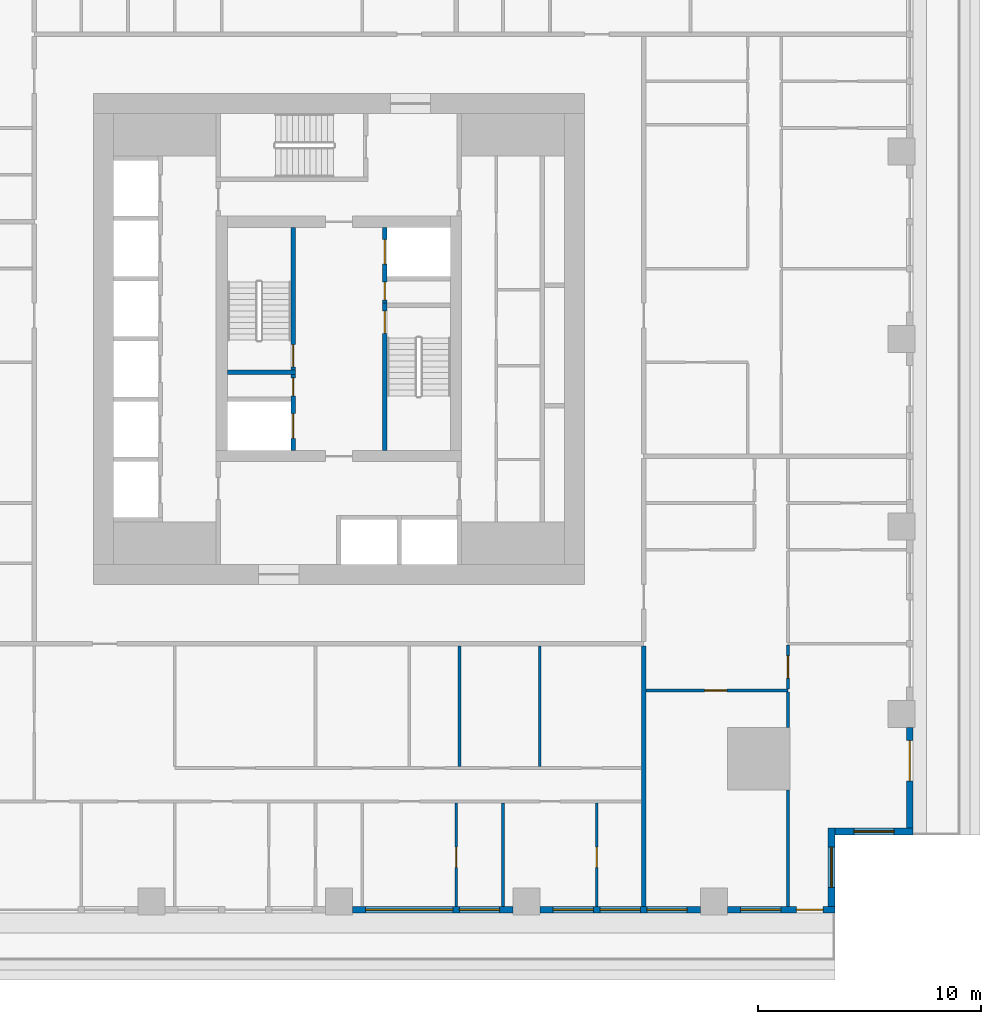
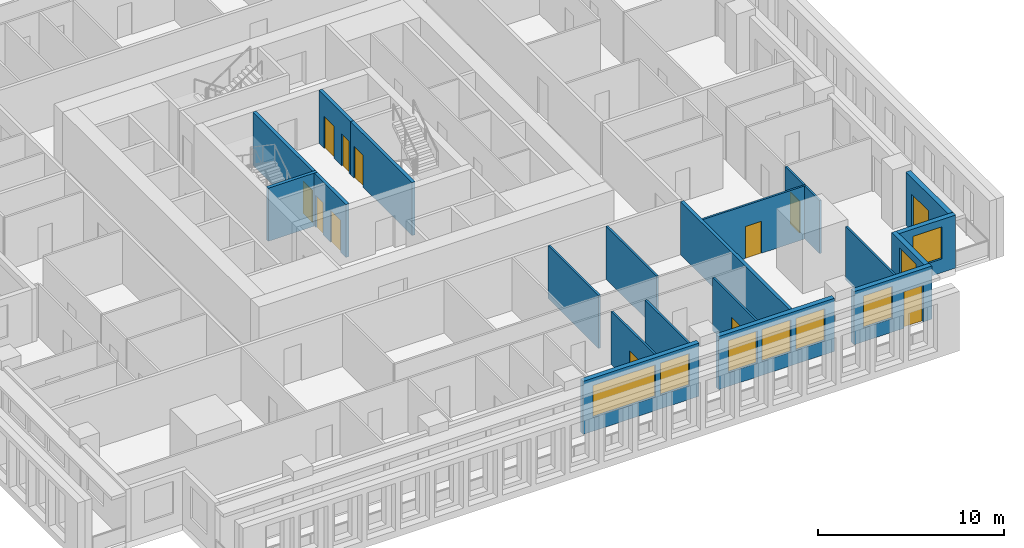
# One storey, part 4 of 15: 21 walls, 12 doors, 8 windows, 20 openings.
"""IFC4 building model written with IfcOpenShell, lengths in metres."""

from ifc_helpers import new_model, si_unit, direction, frame, frame_2d, origin, place, context, subcontext, project, spatial, rectangle, extrude, material, layer, layer_set, type_object, element, fill, save


model = new_model("IFC4")

# Units and contexts
model_context = context("Model", 3, precision=1e-05, world=origin(), true_north=direction((0.0, 1.0)))
body_context = subcontext(model_context, "Body", "Model", "MODEL_VIEW")
ifc_project = project(units=[si_unit("LENGTHUNIT", "METRE"), si_unit("AREAUNIT", "SQUARE_METRE"), si_unit("VOLUMEUNIT", "CUBIC_METRE"), si_unit("PLANEANGLEUNIT", "RADIAN"), si_unit("MASSUNIT", "GRAM", prefix="KILO")], contexts=[model_context])

# Site, building, storey
site_placement = place(None, origin())
site = spatial("IfcSite", under=ifc_project, at=site_placement, CompositionType="ELEMENT")
building_placement = place(site_placement, origin())
building = spatial("IfcBuilding", under=site, at=building_placement, Name="Khepri Terraces", CompositionType="ELEMENT")
storey_placement = place(building_placement, frame((0.0, 0.0, 83.10009765625)))
storey = spatial("IfcBuildingStorey", under=building, at=storey_placement, Name="L19", CompositionType="ELEMENT", Elevation=83.10009765625)

# Wall, opening, door
ifc_material_1 = material(Name="Concrete C70/85", Category="concrete")
ifc_layer_1 = layer(ifc_material_1, 0.199951171875, Name="Concrete C70/85", Category="concrete")
ifc_layer_set_1 = layer_set([ifc_layer_1], Name="Concrete C70/85")
wall_type_1 = type_object("IfcWallType", Name="Core wall 200 C70/85", PredefinedType="SHEAR", material=ifc_layer_set_1)
wall_1_placement = place(storey_placement, frame((2.050048828125, -5.0, 0.0), z_axis=(0.0, 0.0, 1.0), x_axis=(0.0, 1.0, 0.0)))
wall_1 = element("IfcWall", 1, at=wall_1_placement, inside=storey, type_object=wall_type_1, Name="Core wall ST01 L19", PredefinedType="SHEAR", context=body_context, shape_type="SweptSolid", body=[
    extrude(rectangle(XDim=6.60009765625, YDim=0.199951171875, at=frame_2d((3.300048828125, 0.0))), origin(), (0.0, 0.0, 1.0), 3.47998046875),
])
opening_1_placement = place(wall_1_placement, frame((5.25, 0.0, 0.0)))
opening_1 = element("IfcOpeningElement", 2, at=opening_1_placement, cuts=wall_1, Name="Opening L19-C10", PredefinedType="OPENING", context=body_context, shape_type="SweptSolid", body=[
    extrude(rectangle(XDim=1.0, YDim=2.10009765625, at=frame_2d((0.5, 1.050048828125))), frame((0.0, 0.10986328125, 0.0), z_axis=(0.0, -1.0, 0.0), x_axis=(1.0, 0.0, 0.0)), (0.0, 0.0, 1.0), 0.219970703125),
])
ifc_material_2 = material(Name="Painted steel", Category="steel")
door_type_1 = type_object("IfcDoorType", Name="DR-CORE-STAIR-1000", OperationType="NOTDEFINED", PredefinedType="DOOR", material=ifc_material_2)
door_1_placement = place(opening_1_placement, frame((1.0, 0.0, 0.0), z_axis=(0.0, 0.0, 1.0), x_axis=(-1.0, 0.0, 0.0)))
door_1 = element("IfcDoor", 3, at=door_1_placement, inside=storey, type_object=door_type_1, Name="Stair door L19-C10", OperationType="SINGLE_SWING_LEFT", OverallHeight=2.10009765625, OverallWidth=1.0, PredefinedType="DOOR", context=body_context, shape_type="SweptSolid", body=[
    extrude(rectangle(XDim=1.0, YDim=2.10009765625, at=frame_2d((0.5, 1.050048828125))), frame((0.0, 0.02490234375, 0.0), z_axis=(0.0, -1.0, 0.0), x_axis=(1.0, 0.0, 0.0)), (0.0, 0.0, 1.0), 0.050048828125),
])
fill(opening_1, door_1)

# Wall
wall_2_placement = place(storey_placement, frame((-5.0, -1.5, 0.0), z_axis=(0.0, 0.0, 1.0), x_axis=(1.0, 0.0, 0.0)))
element("IfcWall", 4, at=wall_2_placement, inside=storey, type_object=wall_type_1, Name="Core wall ST02 L19", PredefinedType="SHEAR", context=body_context, shape_type="SweptSolid", body=[
    extrude(rectangle(XDim=3.050048828125, YDim=0.199951171875, at=frame_2d((1.52490234375, 0.0))), origin(), (0.0, 0.0, 1.0), 3.47998046875),
])

# Wall, opening, door
wall_3_placement = place(storey_placement, frame((-2.050048828125, -1.39990234375, 0.0), z_axis=(0.0, 0.0, 1.0), x_axis=(0.0, 1.0, 0.0)))
wall_3 = element("IfcWall", 5, at=wall_3_placement, inside=storey, type_object=wall_type_1, Name="Core wall ST03 L19", PredefinedType="SHEAR", context=body_context, shape_type="SweptSolid", body=[
    extrude(rectangle(XDim=6.39990234375, YDim=0.199951171875, at=frame_2d((3.199951171875, 0.0))), origin(), (0.0, 0.0, 1.0), 3.47998046875),
])
opening_2_placement = place(wall_3_placement, frame((0.14990234375, 0.0, 0.0)))
opening_2 = element("IfcOpeningElement", 6, at=opening_2_placement, cuts=wall_3, Name="Opening L19-C09", PredefinedType="OPENING", context=body_context, shape_type="SweptSolid", body=[
    extrude(rectangle(XDim=1.0, YDim=2.10009765625, at=frame_2d((0.5, 1.050048828125))), frame((0.0, 0.10986328125, 0.0), z_axis=(0.0, -1.0, 0.0), x_axis=(1.0, 0.0, 0.0)), (0.0, 0.0, 1.0), 0.219970703125),
])
door_2_placement = place(opening_2_placement, origin())
door_2 = element("IfcDoor", 7, at=door_2_placement, inside=storey, type_object=door_type_1, Name="Stair door L19-C09", OperationType="SINGLE_SWING_LEFT", OverallHeight=2.10009765625, OverallWidth=1.0, PredefinedType="DOOR", context=body_context, shape_type="SweptSolid", body=[
    extrude(rectangle(XDim=1.0, YDim=2.10009765625, at=frame_2d((0.5, 1.050048828125))), frame((0.0, 0.02490234375, 0.0), z_axis=(0.0, -1.0, 0.0), x_axis=(1.0, 0.0, 0.0)), (0.0, 0.0, 1.0), 0.050048828125),
])
fill(opening_2, door_2)

# Wall, openings, doors
wall_4_placement = place(storey_placement, frame((-2.050048828125, -5.0, 0.0), z_axis=(0.0, 0.0, 1.0), x_axis=(0.0, 1.0, 0.0)))
wall_4 = element("IfcWall", 8, at=wall_4_placement, inside=storey, type_object=wall_type_1, Name="Core wall SH10 L19", PredefinedType="SHEAR", context=body_context, shape_type="SweptSolid", body=[
    extrude(rectangle(XDim=3.39990234375, YDim=0.199951171875, at=frame_2d((1.699951171875, 0.0))), origin(), (0.0, 0.0, 1.0), 3.47998046875),
])
opening_3_placement = place(wall_4_placement, frame((0.550048828125, 0.0, 0.0)))
opening_3 = element("IfcOpeningElement", 9, at=opening_3_placement, cuts=wall_4, Name="Opening L19-C08", PredefinedType="OPENING", context=body_context, shape_type="SweptSolid", body=[
    extrude(rectangle(XDim=1.10009765625, YDim=2.10009765625, at=frame_2d((0.550048828125, 1.050048828125))), frame((0.0, 0.10986328125, 0.0), z_axis=(0.0, -1.0, 0.0), x_axis=(1.0, 0.0, 0.0)), (0.0, 0.0, 1.0), 0.219970703125),
])
opening_4_placement = place(wall_4_placement, frame((2.449951171875, 0.0, 0.0)))
opening_4 = element("IfcOpeningElement", 10, at=opening_4_placement, cuts=wall_4, Name="Opening L19-C12", PredefinedType="OPENING", context=body_context, shape_type="SweptSolid", body=[
    extrude(rectangle(XDim=0.800048828125, YDim=2.10009765625, at=frame_2d((0.39990234375, 1.050048828125))), frame((0.0, 0.10986328125, 0.0), z_axis=(0.0, -1.0, 0.0), x_axis=(1.0, 0.0, 0.0)), (0.0, 0.0, 1.0), 0.219970703125),
])
ifc_material_3 = material(Name="Stainless steel 304", Category="steel")
door_type_2 = type_object("IfcDoorType", Name="DR-CORE-FF-LANDING-1100", OperationType="NOTDEFINED", PredefinedType="DOOR", material=ifc_material_3)
door_3_placement = place(opening_3_placement, origin())
door_3 = element("IfcDoor", 11, at=door_3_placement, inside=storey, type_object=door_type_2, Name="Firefighting lift landing door L19-C08", OperationType="SLIDING_TO_LEFT", OverallHeight=2.10009765625, OverallWidth=1.10009765625, PredefinedType="DOOR", context=body_context, shape_type="SweptSolid", body=[
    extrude(rectangle(XDim=1.10009765625, YDim=2.10009765625, at=frame_2d((0.550048828125, 1.050048828125))), frame((0.0, 0.02490234375, 0.0), z_axis=(0.0, -1.0, 0.0), x_axis=(1.0, 0.0, 0.0)), (0.0, 0.0, 1.0), 0.050048828125),
])
fill(opening_3, door_3)
door_type_3 = type_object("IfcDoorType", Name="DR-CORE-RISER-800", OperationType="NOTDEFINED", PredefinedType="DOOR", material=ifc_material_2)
door_4_placement = place(opening_4_placement, origin())
door_4 = element("IfcDoor", 12, at=door_4_placement, inside=storey, type_object=door_type_3, Name="Riser door L19-C12", OperationType="SINGLE_SWING_RIGHT", OverallHeight=2.10009765625, OverallWidth=0.800048828125, PredefinedType="DOOR", context=body_context, shape_type="SweptSolid", body=[
    extrude(rectangle(XDim=0.800048828125, YDim=2.10009765625, at=frame_2d((0.39990234375, 1.050048828125))), frame((0.0, 0.02490234375, 0.0), z_axis=(0.0, -1.0, 0.0), x_axis=(1.0, 0.0, 0.0)), (0.0, 0.0, 1.0), 0.050048828125),
])
fill(opening_4, door_4)

wall_5_placement = place(storey_placement, frame((2.050048828125, 1.60009765625, 0.0), z_axis=(0.0, 0.0, 1.0), x_axis=(0.0, 1.0, 0.0)))
wall_5 = element("IfcWall", 13, at=wall_5_placement, inside=storey, type_object=wall_type_1, Name="Core wall SH15 L19", PredefinedType="SHEAR", context=body_context, shape_type="SweptSolid", body=[
    extrude(rectangle(XDim=3.39990234375, YDim=0.199951171875, at=frame_2d((1.699951171875, 0.0))), origin(), (0.0, 0.0, 1.0), 3.47998046875),
])
opening_5_placement = place(wall_5_placement, frame((1.75, 0.0, 0.0)))
opening_5 = element("IfcOpeningElement", 14, at=opening_5_placement, cuts=wall_5, Name="Opening L19-C07", PredefinedType="OPENING", context=body_context, shape_type="SweptSolid", body=[
    extrude(rectangle(XDim=1.10009765625, YDim=2.10009765625, at=frame_2d((0.550048828125, 1.050048828125))), frame((0.0, 0.10986328125, 0.0), z_axis=(0.0, -1.0, 0.0), x_axis=(1.0, 0.0, 0.0)), (0.0, 0.0, 1.0), 0.219970703125),
])
opening_6_placement = place(wall_5_placement, frame((0.14990234375, 0.0, 0.0)))
opening_6 = element("IfcOpeningElement", 15, at=opening_6_placement, cuts=wall_5, Name="Opening L19-C11", PredefinedType="OPENING", context=body_context, shape_type="SweptSolid", body=[
    extrude(rectangle(XDim=0.800048828125, YDim=2.10009765625, at=frame_2d((0.39990234375, 1.050048828125))), frame((0.0, 0.10986328125, 0.0), z_axis=(0.0, -1.0, 0.0), x_axis=(1.0, 0.0, 0.0)), (0.0, 0.0, 1.0), 0.219970703125),
])
door_5_placement = place(opening_5_placement, origin())
door_5 = element("IfcDoor", 16, at=door_5_placement, inside=storey, type_object=door_type_2, Name="Firefighting lift landing door L19-C07", OperationType="SLIDING_TO_LEFT", OverallHeight=2.10009765625, OverallWidth=1.10009765625, PredefinedType="DOOR", context=body_context, shape_type="SweptSolid", body=[
    extrude(rectangle(XDim=1.10009765625, YDim=2.10009765625, at=frame_2d((0.550048828125, 1.050048828125))), frame((0.0, 0.02490234375, 0.0), z_axis=(0.0, -1.0, 0.0), x_axis=(1.0, 0.0, 0.0)), (0.0, 0.0, 1.0), 0.050048828125),
])
fill(opening_5, door_5)
door_6_placement = place(opening_6_placement, frame((0.800048828125, 0.0, 0.0), z_axis=(0.0, 0.0, 1.0), x_axis=(-1.0, 0.0, 0.0)))
door_6 = element("IfcDoor", 17, at=door_6_placement, inside=storey, type_object=door_type_3, Name="Riser door L19-C11", OperationType="SINGLE_SWING_RIGHT", OverallHeight=2.10009765625, OverallWidth=0.800048828125, PredefinedType="DOOR", context=body_context, shape_type="SweptSolid", body=[
    extrude(rectangle(XDim=0.800048828125, YDim=2.10009765625, at=frame_2d((0.39990234375, 1.050048828125))), frame((0.0, 0.02490234375, 0.0), z_axis=(0.0, -1.0, 0.0), x_axis=(1.0, 0.0, 0.0)), (0.0, 0.0, 1.0), 0.050048828125),
])
fill(opening_6, door_6)

# Wall
ifc_material_4 = material(Name="Fire-rated gypsum plasterboard partition, mineral wool")
ifc_layer_2 = layer(ifc_material_4, 0.199951171875, Name="Fire-rated gypsum plasterboard partition, mineral wool")
ifc_layer_set_2 = layer_set([ifc_layer_2], Name="Fire-rated gypsum plasterboard partition, mineral wool")
wall_type_2 = type_object("IfcWallType", Name="WL-CORR-200", PredefinedType="PARTITIONING", material=ifc_layer_set_2)
wall_6_placement = place(storey_placement, frame((13.64990234375, -25.419921875, 0.0), z_axis=(0.0, 0.0, 1.0), x_axis=(0.0, 1.0, 0.0)))
element("IfcWall", 18, at=wall_6_placement, inside=storey, type_object=wall_type_2, Name="Partition P-009 L19", PredefinedType="PARTITIONING", context=body_context, shape_type="SweptSolid", body=[
    extrude(rectangle(XDim=11.669921875, YDim=0.199951171875, at=frame_2d((5.8349609375, 0.0))), origin(), (0.0, 0.0, 1.0), 3.47998046875),
])

# Wall, opening, window
ifc_material_5 = material(Name="Precast concrete C50/60 warm stone", Category="masonry")
ifc_layer_3 = layer(ifc_material_5, 0.300048828125, Name="Precast concrete C50/60 warm stone", Category="masonry")
ifc_layer_set_3 = layer_set([ifc_layer_3], Name="Precast concrete C50/60 warm stone")
wall_type_3 = type_object("IfcWallType", Name="WL-EXT-PRECAST-300", PredefinedType="STANDARD", material=ifc_layer_set_3)
wall_7_placement = place(storey_placement, frame((22.219970703125, -22.070068359375, 0.0), z_axis=(0.0, 0.0, 1.0), x_axis=(1.0, 0.0, 0.0)))
wall_7 = element("IfcWall", 19, at=wall_7_placement, inside=storey, type_object=wall_type_3, Name="External wall L19 S", PredefinedType="STANDARD", context=body_context, shape_type="SweptSolid", body=[
    extrude(rectangle(XDim=3.5, YDim=0.300048828125, at=frame_2d((1.75, 0.0))), origin(), (0.0, 0.0, 1.0), 3.47998046875),
])
opening_7_placement = place(wall_7_placement, frame((0.85009765625, 0.0, 0.89990234375)))
opening_7 = element("IfcOpeningElement", 20, at=opening_7_placement, cuts=wall_7, Name="Opening W1", PredefinedType="OPENING", context=body_context, shape_type="SweptSolid", body=[
    extrude(rectangle(XDim=1.800048828125, YDim=2.10009765625, at=frame_2d((0.89990234375, 1.050048828125))), frame((0.0, 0.16015625, 0.0), z_axis=(0.0, -1.0, 0.0), x_axis=(1.0, 0.0, 0.0)), (0.0, 0.0, 1.0), 0.320068359375),
])
ifc_material_6 = material(Name="Clear glass", Category="glass")
window_type_1 = type_object("IfcWindowType", Name="WIN-RES-1800x2100", PartitioningType="SINGLE_PANEL", PredefinedType="WINDOW", material=ifc_material_6)
window_1_placement = place(opening_7_placement, origin())
window_1 = element("IfcWindow", 21, at=window_1_placement, inside=storey, type_object=window_type_1, Name="Window L19 S", OverallHeight=2.10009765625, OverallWidth=1.800048828125, PartitioningType="SINGLE_PANEL", PredefinedType="WINDOW", context=body_context, shape_type="SweptSolid", body=[
    extrude(rectangle(XDim=1.800048828125, YDim=2.10009765625, at=frame_2d((0.89990234375, 1.050048828125))), frame((0.0, 0.030029296875, 0.0), z_axis=(0.0, -1.0, 0.0), x_axis=(1.0, 0.0, 0.0)), (0.0, 0.0, 1.0), 0.06005859375),
])
fill(opening_7, window_1)

# Wall, opening, door
wall_8_placement = place(storey_placement, frame((25.570068359375, -21.919921875, 0.0), z_axis=(0.0, 0.0, 1.0), x_axis=(0.0, 1.0, 0.0)))
wall_8 = element("IfcWall", 22, at=wall_8_placement, inside=storey, type_object=wall_type_3, Name="External wall L19 E", PredefinedType="STANDARD", context=body_context, shape_type="SweptSolid", body=[
    extrude(rectangle(XDim=4.52001953125, YDim=0.300048828125, at=frame_2d((2.260009765625, 0.0))), origin(), (0.0, 0.0, 1.0), 3.47998046875),
])
opening_8_placement = place(wall_8_placement, frame((2.1201171875, 0.0, 0.0)))
opening_8 = element("IfcOpeningElement", 23, at=opening_8_placement, cuts=wall_8, Name="Opening ED-L19-01", PredefinedType="OPENING", context=body_context, shape_type="SweptSolid", body=[
    extrude(rectangle(XDim=1.800048828125, YDim=2.39990234375, at=frame_2d((0.89990234375, 1.199951171875))), frame((0.0, 0.16015625, 0.0), z_axis=(0.0, -1.0, 0.0), x_axis=(1.0, 0.0, 0.0)), (0.0, 0.0, 1.0), 0.320068359375),
])
ifc_material_7 = material(Name="Anodised aluminium bronze glazed door", Category="aluminium")
door_type_4 = type_object("IfcDoorType", Name="DR-BAL-SLIDE-1800x2400", OperationType="NOTDEFINED", PredefinedType="DOOR", material=ifc_material_7)
door_7_placement = place(opening_8_placement, origin())
door_7 = element("IfcDoor", 24, at=door_7_placement, inside=storey, type_object=door_type_4, Name="Balcony door L19 E", OperationType="SLIDING_TO_RIGHT", OverallHeight=2.39990234375, OverallWidth=1.800048828125, PredefinedType="DOOR", context=body_context, shape_type="SweptSolid", body=[
    extrude(rectangle(XDim=1.800048828125, YDim=2.39990234375, at=frame_2d((0.89990234375, 1.199951171875))), frame((0.0, 0.02490234375, 0.0), z_axis=(0.0, -1.0, 0.0), x_axis=(1.0, 0.0, 0.0)), (0.0, 0.0, 1.0), 0.050048828125),
])
fill(opening_8, door_7)

# Wall, openings, windows
wall_9_placement = place(storey_placement, frame((0.60009765625, -25.570068359375, 0.0), z_axis=(0.0, 0.0, 1.0), x_axis=(1.0, 0.0, 0.0)))
wall_9 = element("IfcWall", 25, at=wall_9_placement, inside=storey, type_object=wall_type_3, Name="External wall L19 S", PredefinedType="STANDARD", context=body_context, shape_type="SweptSolid", body=[
    extrude(rectangle(XDim=7.199951171875, YDim=0.300048828125, at=frame_2d((3.60009765625, 0.0))), origin(), (0.0, 0.0, 1.0), 3.47998046875),
])
opening_9_placement = place(wall_9_placement, frame((0.60009765625, 0.0, 0.89990234375)))
opening_9 = element("IfcOpeningElement", 26, at=opening_9_placement, cuts=wall_9, Name="Opening W2", PredefinedType="OPENING", context=body_context, shape_type="SweptSolid", body=[
    extrude(rectangle(XDim=3.89990234375, YDim=2.10009765625, at=frame_2d((1.949951171875, 1.050048828125))), frame((0.0, 0.16015625, 0.0), z_axis=(0.0, -1.0, 0.0), x_axis=(1.0, 0.0, 0.0)), (0.0, 0.0, 1.0), 0.320068359375),
])
opening_10_placement = place(wall_9_placement, frame((4.800048828125, 0.0, 0.89990234375)))
opening_10 = element("IfcOpeningElement", 27, at=opening_10_placement, cuts=wall_9, Name="Opening W1", PredefinedType="OPENING", context=body_context, shape_type="SweptSolid", body=[
    extrude(rectangle(XDim=1.800048828125, YDim=2.10009765625, at=frame_2d((0.89990234375, 1.050048828125))), frame((0.0, 0.16015625, 0.0), z_axis=(0.0, -1.0, 0.0), x_axis=(1.0, 0.0, 0.0)), (0.0, 0.0, 1.0), 0.320068359375),
])
window_2_placement = place(opening_10_placement, origin())
window_2 = element("IfcWindow", 28, at=window_2_placement, inside=storey, type_object=window_type_1, Name="Window L19 S", OverallHeight=2.10009765625, OverallWidth=1.800048828125, PartitioningType="SINGLE_PANEL", PredefinedType="WINDOW", context=body_context, shape_type="SweptSolid", body=[
    extrude(rectangle(XDim=1.800048828125, YDim=2.10009765625, at=frame_2d((0.89990234375, 1.050048828125))), frame((0.0, 0.030029296875, 0.0), z_axis=(0.0, -1.0, 0.0), x_axis=(1.0, 0.0, 0.0)), (0.0, 0.0, 1.0), 0.06005859375),
])
fill(opening_10, window_2)
window_type_2 = type_object("IfcWindowType", Name="WIN-RES-3900x2100", PartitioningType="SINGLE_PANEL", PredefinedType="WINDOW", material=ifc_material_6)
window_3_placement = place(opening_9_placement, origin())
window_3 = element("IfcWindow", 29, at=window_3_placement, inside=storey, type_object=window_type_2, Name="Window L19 S", OverallHeight=2.10009765625, OverallWidth=3.89990234375, PartitioningType="SINGLE_PANEL", PredefinedType="WINDOW", context=body_context, shape_type="SweptSolid", body=[
    extrude(rectangle(XDim=3.89990234375, YDim=2.10009765625, at=frame_2d((1.949951171875, 1.050048828125))), frame((0.0, 0.030029296875, 0.0), z_axis=(0.0, -1.0, 0.0), x_axis=(1.0, 0.0, 0.0)), (0.0, 0.0, 1.0), 0.06005859375),
])
fill(opening_9, window_3)

wall_10_placement = place(storey_placement, frame((9.0, -25.570068359375, 0.0), z_axis=(0.0, 0.0, 1.0), x_axis=(1.0, 0.0, 0.0)))
wall_10 = element("IfcWall", 30, at=wall_10_placement, inside=storey, type_object=wall_type_3, Name="External wall L19 S", PredefinedType="STANDARD", context=body_context, shape_type="SweptSolid", body=[
    extrude(rectangle(XDim=7.199951171875, YDim=0.300048828125, at=frame_2d((3.60009765625, 0.0))), origin(), (0.0, 0.0, 1.0), 3.47998046875),
])
opening_11_placement = place(wall_10_placement, frame((0.60009765625, 0.0, 0.89990234375)))
opening_11 = element("IfcOpeningElement", 31, at=opening_11_placement, cuts=wall_10, Name="Opening W1", PredefinedType="OPENING", context=body_context, shape_type="SweptSolid", body=[
    extrude(rectangle(XDim=1.800048828125, YDim=2.10009765625, at=frame_2d((0.89990234375, 1.050048828125))), frame((0.0, 0.16015625, 0.0), z_axis=(0.0, -1.0, 0.0), x_axis=(1.0, 0.0, 0.0)), (0.0, 0.0, 1.0), 0.320068359375),
])
opening_12_placement = place(wall_10_placement, frame((2.699951171875, 0.0, 0.89990234375)))
opening_12 = element("IfcOpeningElement", 32, at=opening_12_placement, cuts=wall_10, Name="Opening W1", PredefinedType="OPENING", context=body_context, shape_type="SweptSolid", body=[
    extrude(rectangle(XDim=1.800048828125, YDim=2.10009765625, at=frame_2d((0.89990234375, 1.050048828125))), frame((0.0, 0.16015625, 0.0), z_axis=(0.0, -1.0, 0.0), x_axis=(1.0, 0.0, 0.0)), (0.0, 0.0, 1.0), 0.320068359375),
])
opening_13_placement = place(wall_10_placement, frame((4.800048828125, 0.0, 0.89990234375)))
opening_13 = element("IfcOpeningElement", 33, at=opening_13_placement, cuts=wall_10, Name="Opening W1", PredefinedType="OPENING", context=body_context, shape_type="SweptSolid", body=[
    extrude(rectangle(XDim=1.800048828125, YDim=2.10009765625, at=frame_2d((0.89990234375, 1.050048828125))), frame((0.0, 0.16015625, 0.0), z_axis=(0.0, -1.0, 0.0), x_axis=(1.0, 0.0, 0.0)), (0.0, 0.0, 1.0), 0.320068359375),
])
window_4_placement = place(opening_11_placement, origin())
window_4 = element("IfcWindow", 34, at=window_4_placement, inside=storey, type_object=window_type_1, Name="Window L19 S", OverallHeight=2.10009765625, OverallWidth=1.800048828125, PartitioningType="SINGLE_PANEL", PredefinedType="WINDOW", context=body_context, shape_type="SweptSolid", body=[
    extrude(rectangle(XDim=1.800048828125, YDim=2.10009765625, at=frame_2d((0.89990234375, 1.050048828125))), frame((0.0, 0.030029296875, 0.0), z_axis=(0.0, -1.0, 0.0), x_axis=(1.0, 0.0, 0.0)), (0.0, 0.0, 1.0), 0.06005859375),
])
fill(opening_11, window_4)
window_5_placement = place(opening_12_placement, origin())
window_5 = element("IfcWindow", 35, at=window_5_placement, inside=storey, type_object=window_type_1, Name="Window L19 S", OverallHeight=2.10009765625, OverallWidth=1.800048828125, PartitioningType="SINGLE_PANEL", PredefinedType="WINDOW", context=body_context, shape_type="SweptSolid", body=[
    extrude(rectangle(XDim=1.800048828125, YDim=2.10009765625, at=frame_2d((0.89990234375, 1.050048828125))), frame((0.0, 0.030029296875, 0.0), z_axis=(0.0, -1.0, 0.0), x_axis=(1.0, 0.0, 0.0)), (0.0, 0.0, 1.0), 0.06005859375),
])
fill(opening_12, window_5)
window_6_placement = place(opening_13_placement, origin())
window_6 = element("IfcWindow", 36, at=window_6_placement, inside=storey, type_object=window_type_1, Name="Window L19 S", OverallHeight=2.10009765625, OverallWidth=1.800048828125, PartitioningType="SINGLE_PANEL", PredefinedType="WINDOW", context=body_context, shape_type="SweptSolid", body=[
    extrude(rectangle(XDim=1.800048828125, YDim=2.10009765625, at=frame_2d((0.89990234375, 1.050048828125))), frame((0.0, 0.030029296875, 0.0), z_axis=(0.0, -1.0, 0.0), x_axis=(1.0, 0.0, 0.0)), (0.0, 0.0, 1.0), 0.06005859375),
])
fill(opening_13, window_6)

# Wall, openings, door, window
wall_11_placement = place(storey_placement, frame((17.39990234375, -25.570068359375, 0.0), z_axis=(0.0, 0.0, 1.0), x_axis=(1.0, 0.0, 0.0)))
wall_11 = element("IfcWall", 37, at=wall_11_placement, inside=storey, type_object=wall_type_3, Name="External wall L19 S", PredefinedType="STANDARD", context=body_context, shape_type="SweptSolid", body=[
    extrude(rectangle(XDim=4.820068359375, YDim=0.300048828125, at=frame_2d((2.41015625, 0.0))), origin(), (0.0, 0.0, 1.0), 3.47998046875),
])
opening_14_placement = place(wall_11_placement, frame((0.60009765625, 0.0, 0.89990234375)))
opening_14 = element("IfcOpeningElement", 38, at=opening_14_placement, cuts=wall_11, Name="Opening W1", PredefinedType="OPENING", context=body_context, shape_type="SweptSolid", body=[
    extrude(rectangle(XDim=1.800048828125, YDim=2.10009765625, at=frame_2d((0.89990234375, 1.050048828125))), frame((0.0, 0.16015625, 0.0), z_axis=(0.0, -1.0, 0.0), x_axis=(1.0, 0.0, 0.0)), (0.0, 0.0, 1.0), 0.320068359375),
])
opening_15_placement = place(wall_11_placement, frame((3.094970703125, 0.0, 0.0)))
opening_15 = element("IfcOpeningElement", 39, at=opening_15_placement, cuts=wall_11, Name="Opening ED-L19-21", PredefinedType="OPENING", context=body_context, shape_type="SweptSolid", body=[
    extrude(rectangle(XDim=1.199951171875, YDim=2.39990234375, at=frame_2d((0.60009765625, 1.199951171875))), frame((0.0, 0.16015625, 0.0), z_axis=(0.0, -1.0, 0.0), x_axis=(1.0, 0.0, 0.0)), (0.0, 0.0, 1.0), 0.320068359375),
])
door_type_5 = type_object("IfcDoorType", Name="DR-BAL-SLIDE-1200x2400", OperationType="NOTDEFINED", PredefinedType="DOOR", material=ifc_material_7)
door_8_placement = place(opening_15_placement, origin())
door_8 = element("IfcDoor", 40, at=door_8_placement, inside=storey, type_object=door_type_5, Name="Balcony door L19 S", OperationType="SLIDING_TO_RIGHT", OverallHeight=2.39990234375, OverallWidth=1.199951171875, PredefinedType="DOOR", context=body_context, shape_type="SweptSolid", body=[
    extrude(rectangle(XDim=1.199951171875, YDim=2.39990234375, at=frame_2d((0.60009765625, 1.199951171875))), frame((0.0, 0.02490234375, 0.0), z_axis=(0.0, -1.0, 0.0), x_axis=(1.0, 0.0, 0.0)), (0.0, 0.0, 1.0), 0.050048828125),
])
fill(opening_15, door_8)
window_7_placement = place(opening_14_placement, origin())
window_7 = element("IfcWindow", 41, at=window_7_placement, inside=storey, type_object=window_type_1, Name="Window L19 S", OverallHeight=2.10009765625, OverallWidth=1.800048828125, PartitioningType="SINGLE_PANEL", PredefinedType="WINDOW", context=body_context, shape_type="SweptSolid", body=[
    extrude(rectangle(XDim=1.800048828125, YDim=2.10009765625, at=frame_2d((0.89990234375, 1.050048828125))), frame((0.0, 0.030029296875, 0.0), z_axis=(0.0, -1.0, 0.0), x_axis=(1.0, 0.0, 0.0)), (0.0, 0.0, 1.0), 0.06005859375),
])
fill(opening_14, window_7)

# Wall, opening, window
wall_12_placement = place(storey_placement, frame((22.070068359375, -25.419921875, 0.0), z_axis=(0.0, 0.0, 1.0), x_axis=(0.0, 1.0, 0.0)))
wall_12 = element("IfcWall", 42, at=wall_12_placement, inside=storey, type_object=wall_type_3, Name="External wall L19 E", PredefinedType="STANDARD", context=body_context, shape_type="SweptSolid", body=[
    extrude(rectangle(XDim=3.5, YDim=0.300048828125, at=frame_2d((1.75, 0.0))), origin(), (0.0, 0.0, 1.0), 3.47998046875),
])
opening_16_placement = place(wall_12_placement, frame((0.85009765625, 0.0, 0.89990234375)))
opening_16 = element("IfcOpeningElement", 43, at=opening_16_placement, cuts=wall_12, Name="Opening W1", PredefinedType="OPENING", context=body_context, shape_type="SweptSolid", body=[
    extrude(rectangle(XDim=1.800048828125, YDim=2.10009765625, at=frame_2d((0.89990234375, 1.050048828125))), frame((0.0, 0.16015625, 0.0), z_axis=(0.0, -1.0, 0.0), x_axis=(1.0, 0.0, 0.0)), (0.0, 0.0, 1.0), 0.320068359375),
])
window_8_placement = place(opening_16_placement, origin())
window_8 = element("IfcWindow", 44, at=window_8_placement, inside=storey, type_object=window_type_1, Name="Window L19 E", OverallHeight=2.10009765625, OverallWidth=1.800048828125, PartitioningType="SINGLE_PANEL", PredefinedType="WINDOW", context=body_context, shape_type="SweptSolid", body=[
    extrude(rectangle(XDim=1.800048828125, YDim=2.10009765625, at=frame_2d((0.89990234375, 1.050048828125))), frame((0.0, 0.030029296875, 0.0), z_axis=(0.0, -1.0, 0.0), x_axis=(1.0, 0.0, 0.0)), (0.0, 0.0, 1.0), 0.06005859375),
])
fill(opening_16, window_8)

# Wall, opening, door
ifc_material_8 = material(Name="Gypsum plasterboard partition")
ifc_layer_4 = layer(ifc_material_8, 0.1201171875, Name="Gypsum plasterboard partition")
ifc_layer_set_4 = layer_set([ifc_layer_4], Name="Gypsum plasterboard partition")
wall_type_4 = type_object("IfcWallType", Name="WL-PART-120", PredefinedType="PARTITIONING", material=ifc_layer_set_4)
wall_13_placement = place(storey_placement, frame((5.25, -25.419921875, 0.0), z_axis=(0.0, 0.0, 1.0), x_axis=(0.0, 1.0, 0.0)))
wall_13 = element("IfcWall", 45, at=wall_13_placement, inside=storey, type_object=wall_type_4, Name="Partition P-006 L19", PredefinedType="PARTITIONING", context=body_context, shape_type="SweptSolid", body=[
    extrude(rectangle(XDim=4.639892578125, YDim=0.1201171875, at=frame_2d((2.31982421875, 0.0))), origin(), (0.0, 0.0, 1.0), 3.47998046875),
])
opening_17_placement = place(wall_13_placement, frame((1.75, 0.0, 0.0)))
opening_17 = element("IfcOpeningElement", 46, at=opening_17_placement, cuts=wall_13, Name="Opening D4", PredefinedType="OPENING", context=body_context, shape_type="SweptSolid", body=[
    extrude(rectangle(XDim=0.89990234375, YDim=2.10009765625, at=frame_2d((0.449951171875, 1.050048828125))), frame((0.0, 0.070068359375, 0.0), z_axis=(0.0, -1.0, 0.0), x_axis=(1.0, 0.0, 0.0)), (0.0, 0.0, 1.0), 0.14013671875),
])
ifc_material_9 = material(Name="Timber door leaf, moisture resistant", Category="wood")
door_type_6 = type_object("IfcDoorType", Name="DR-WET-900", OperationType="NOTDEFINED", PredefinedType="DOOR", material=ifc_material_9)
door_9_placement = place(opening_17_placement, frame((0.89990234375, 0.0, 0.0), z_axis=(0.0, 0.0, 1.0), x_axis=(-1.0, 0.0, 0.0)))
door_9 = element("IfcDoor", 47, at=door_9_placement, inside=storey, type_object=door_type_6, Name="Door Bathroom", OperationType="SINGLE_SWING_RIGHT", OverallHeight=2.10009765625, OverallWidth=0.89990234375, PredefinedType="DOOR", context=body_context, shape_type="SweptSolid", body=[
    extrude(rectangle(XDim=0.89990234375, YDim=2.10009765625, at=frame_2d((0.449951171875, 1.050048828125))), frame((0.0, 0.02490234375, 0.0), z_axis=(0.0, -1.0, 0.0), x_axis=(1.0, 0.0, 0.0)), (0.0, 0.0, 1.0), 0.050048828125),
])
fill(opening_17, door_9)

# Wall
wall_14_placement = place(storey_placement, frame((7.35009765625, -25.419921875, 0.0), z_axis=(0.0, 0.0, 1.0), x_axis=(0.0, 1.0, 0.0)))
element("IfcWall", 48, at=wall_14_placement, inside=storey, type_object=wall_type_4, Name="Partition P-007 L19", PredefinedType="PARTITIONING", context=body_context, shape_type="SweptSolid", body=[
    extrude(rectangle(XDim=4.639892578125, YDim=0.1201171875, at=frame_2d((2.31982421875, 0.0))), origin(), (0.0, 0.0, 1.0), 3.47998046875),
])

# Wall, opening, door
wall_15_placement = place(storey_placement, frame((11.550048828125, -25.419921875, 0.0), z_axis=(0.0, 0.0, 1.0), x_axis=(0.0, 1.0, 0.0)))
wall_15 = element("IfcWall", 49, at=wall_15_placement, inside=storey, type_object=wall_type_4, Name="Partition P-008 L19", PredefinedType="PARTITIONING", context=body_context, shape_type="SweptSolid", body=[
    extrude(rectangle(XDim=4.639892578125, YDim=0.1201171875, at=frame_2d((2.31982421875, 0.0))), origin(), (0.0, 0.0, 1.0), 3.47998046875),
])
opening_18_placement = place(wall_15_placement, frame((1.75, 0.0, 0.0)))
opening_18 = element("IfcOpeningElement", 50, at=opening_18_placement, cuts=wall_15, Name="Opening D4", PredefinedType="OPENING", context=body_context, shape_type="SweptSolid", body=[
    extrude(rectangle(XDim=0.89990234375, YDim=2.10009765625, at=frame_2d((0.449951171875, 1.050048828125))), frame((0.0, 0.070068359375, 0.0), z_axis=(0.0, -1.0, 0.0), x_axis=(1.0, 0.0, 0.0)), (0.0, 0.0, 1.0), 0.14013671875),
])
door_10_placement = place(opening_18_placement, frame((0.89990234375, 0.0, 0.0), z_axis=(0.0, 0.0, 1.0), x_axis=(-1.0, 0.0, 0.0)))
door_10 = element("IfcDoor", 51, at=door_10_placement, inside=storey, type_object=door_type_6, Name="Door Bathroom", OperationType="SINGLE_SWING_RIGHT", OverallHeight=2.10009765625, OverallWidth=0.89990234375, PredefinedType="DOOR", context=body_context, shape_type="SweptSolid", body=[
    extrude(rectangle(XDim=0.89990234375, YDim=2.10009765625, at=frame_2d((0.449951171875, 1.050048828125))), frame((0.0, 0.02490234375, 0.0), z_axis=(0.0, -1.0, 0.0), x_axis=(1.0, 0.0, 0.0)), (0.0, 0.0, 1.0), 0.050048828125),
])
fill(opening_18, door_10)

# Walls
wall_16_placement = place(storey_placement, frame((20.1201171875, -25.419921875, 0.0), z_axis=(0.0, 0.0, 1.0), x_axis=(0.0, 1.0, 0.0)))
element("IfcWall", 52, at=wall_16_placement, inside=storey, type_object=wall_type_4, Name="Partition P-010 L19", PredefinedType="PARTITIONING", context=body_context, shape_type="SweptSolid", body=[
    extrude(rectangle(XDim=5.219970703125, YDim=0.1201171875, at=frame_2d((2.60986328125, 0.0))), origin(), (0.0, 0.0, 1.0), 3.47998046875),
])
for number, where, z_axis, x_axis, name in (
    (53, (5.39990234375, -19.159912109375, 0.0), (0.0, 0.0, 1.0), (0.0, 1.0, 0.0), "Partition P-017 L19"),
    (54, (9.0, -19.159912109375, 0.0), (0.0, 0.0, 1.0), (0.0, 1.0, 0.0), "Partition P-018 L19"),
):
    element("IfcWall", number, at=place(storey_placement, frame(where, z_axis=z_axis, x_axis=x_axis)), inside=storey, type_object=wall_type_4, Name=name, PredefinedType="PARTITIONING", context=body_context, shape_type="SweptSolid", body=[
        extrude(rectangle(XDim=5.409912109375, YDim=0.1201171875, at=frame_2d((2.705078125, 0.0))), origin(), (0.0, 0.0, 1.0), 3.47998046875),
    ])
wall_17_placement = place(storey_placement, frame((20.1201171875, -17.39990234375, 0.0), z_axis=(0.0, 0.0, 1.0), x_axis=(0.0, 1.0, 0.0)))
element("IfcWall", 55, at=wall_17_placement, inside=storey, type_object=wall_type_4, Name="Partition P-019 L19", PredefinedType="PARTITIONING", context=body_context, shape_type="SweptSolid", body=[
    extrude(rectangle(XDim=1.58984375, YDim=0.1201171875, at=frame_2d((0.794921875, 0.0))), origin(), (0.0, 0.0, 1.0), 3.47998046875),
])

# Wall, opening, door
wall_18_placement = place(storey_placement, frame((13.75, -15.75, 0.0), z_axis=(0.0, 0.0, 1.0), x_axis=(1.0, 0.0, 0.0)))
wall_18 = element("IfcWall", 56, at=wall_18_placement, inside=storey, type_object=wall_type_4, Name="Partition P-020 L19", PredefinedType="PARTITIONING", context=body_context, shape_type="SweptSolid", body=[
    extrude(rectangle(XDim=6.3701171875, YDim=0.1201171875, at=frame_2d((3.18505859375, 0.0))), origin(), (0.0, 0.0, 1.0), 3.47998046875),
])
opening_19_placement = place(wall_18_placement, frame((2.635009765625, 0.0, 0.0)))
opening_19 = element("IfcOpeningElement", 57, at=opening_19_placement, cuts=wall_18, Name="Opening D2", PredefinedType="OPENING", context=body_context, shape_type="SweptSolid", body=[
    extrude(rectangle(XDim=1.0, YDim=2.10009765625, at=frame_2d((0.5, 1.050048828125))), frame((0.0, 0.070068359375, 0.0), z_axis=(0.0, -1.0, 0.0), x_axis=(1.0, 0.0, 0.0)), (0.0, 0.0, 1.0), 0.14013671875),
])
ifc_material_10 = material(Name="Timber door leaf, living room door", Category="wood")
door_type_7 = type_object("IfcDoorType", Name="DR-INT-1000", OperationType="NOTDEFINED", PredefinedType="DOOR", material=ifc_material_10)
door_11_placement = place(opening_19_placement, frame((1.0, 0.0, 0.0), z_axis=(0.0, 0.0, 1.0), x_axis=(-1.0, 0.0, 0.0)))
door_11 = element("IfcDoor", 58, at=door_11_placement, inside=storey, type_object=door_type_7, Name="Door Family Room", OperationType="SINGLE_SWING_RIGHT", OverallHeight=2.10009765625, OverallWidth=1.0, PredefinedType="DOOR", context=body_context, shape_type="SweptSolid", body=[
    extrude(rectangle(XDim=1.0, YDim=2.10009765625, at=frame_2d((0.5, 1.050048828125))), frame((0.0, 0.02490234375, 0.0), z_axis=(0.0, -1.0, 0.0), x_axis=(1.0, 0.0, 0.0)), (0.0, 0.0, 1.0), 0.050048828125),
])
fill(opening_19, door_11)

wall_19_placement = place(storey_placement, frame((20.1201171875, -15.68994140625, 0.0), z_axis=(0.0, 0.0, 1.0), x_axis=(0.0, 1.0, 0.0)))
wall_19 = element("IfcWall", 59, at=wall_19_placement, inside=storey, type_object=wall_type_4, Name="Partition P-021 L19", PredefinedType="PARTITIONING", context=body_context, shape_type="SweptSolid", body=[
    extrude(rectangle(XDim=1.97998046875, YDim=0.1201171875, at=frame_2d((0.989990234375, 0.0))), origin(), (0.0, 0.0, 1.0), 3.47998046875),
])
opening_20_placement = place(wall_19_placement, frame((0.489990234375, 0.0, 0.0)))
opening_20 = element("IfcOpeningElement", 60, at=opening_20_placement, cuts=wall_19, Name="Opening D2", PredefinedType="OPENING", context=body_context, shape_type="SweptSolid", body=[
    extrude(rectangle(XDim=1.0, YDim=2.10009765625, at=frame_2d((0.5, 1.050048828125))), frame((0.0, 0.070068359375, 0.0), z_axis=(0.0, -1.0, 0.0), x_axis=(1.0, 0.0, 0.0)), (0.0, 0.0, 1.0), 0.14013671875),
])
door_12_placement = place(opening_20_placement, frame((1.0, 0.0, 0.0), z_axis=(0.0, 0.0, 1.0), x_axis=(-1.0, 0.0, 0.0)))
door_12 = element("IfcDoor", 61, at=door_12_placement, inside=storey, type_object=door_type_7, Name="Door Living Room", OperationType="SINGLE_SWING_LEFT", OverallHeight=2.10009765625, OverallWidth=1.0, PredefinedType="DOOR", context=body_context, shape_type="SweptSolid", body=[
    extrude(rectangle(XDim=1.0, YDim=2.10009765625, at=frame_2d((0.5, 1.050048828125))), frame((0.0, 0.02490234375, 0.0), z_axis=(0.0, -1.0, 0.0), x_axis=(1.0, 0.0, 0.0)), (0.0, 0.0, 1.0), 0.050048828125),
])
fill(opening_20, door_12)

save(model, "model.ifc")
